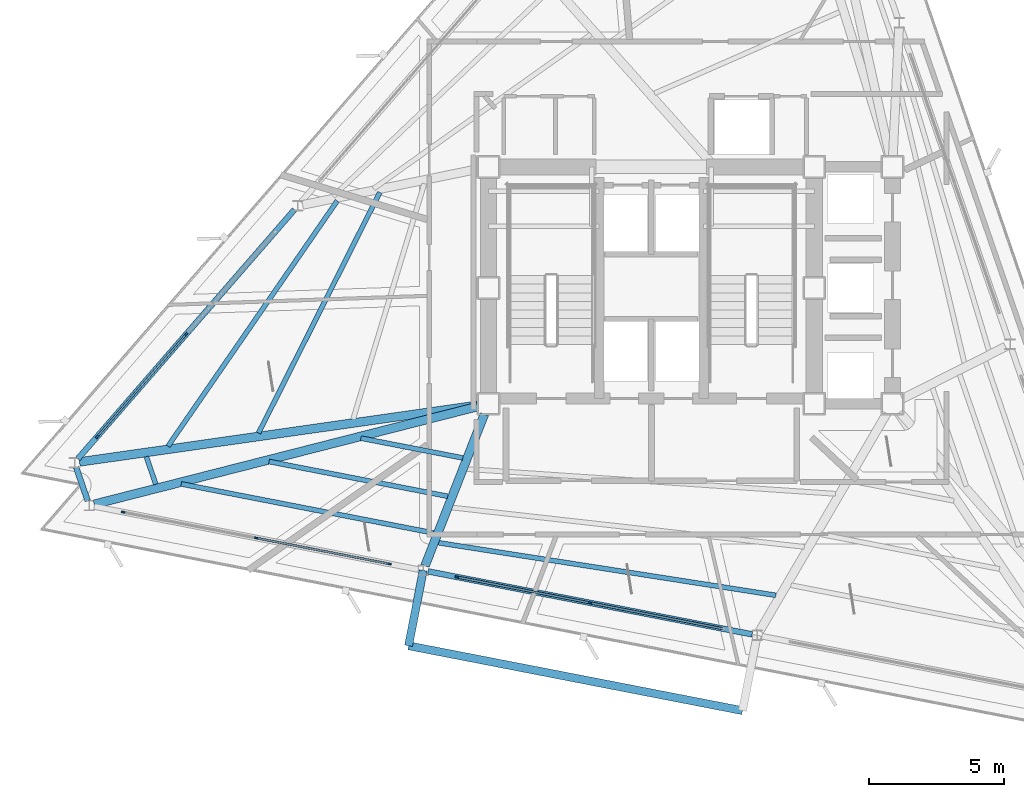
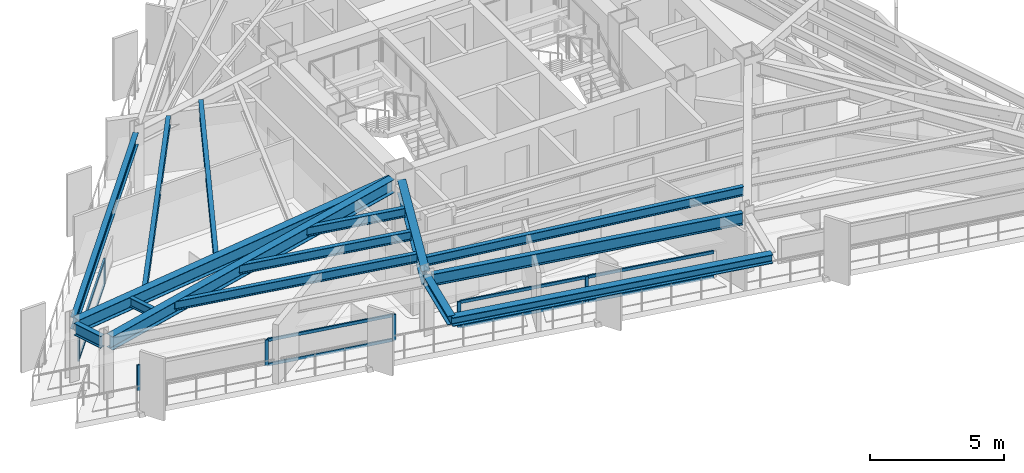
# One storey, part 2 of 14: 15 beams, 15 members, 3 elements without a shape of their own.
"""IFC4 building model written with IfcOpenShell, lengths in metres."""

from ifc_helpers import new_model, si_unit, direction, frame, origin, origin_2d, place, context, subcontext, project, spatial, rectangle, i_section, extrude, material, layer, layer_set, material_profile, profile_set, type_object, element, aggregate, save


model = new_model("IFC4")

# Units and contexts
model_context = context("Model", 3, precision=1e-05, world=origin(), true_north=direction((0.0, 1.0)))
body_context = subcontext(model_context, "Body", "Model", "MODEL_VIEW")
ifc_project = project(units=[si_unit("LENGTHUNIT", "METRE"), si_unit("AREAUNIT", "SQUARE_METRE"), si_unit("VOLUMEUNIT", "CUBIC_METRE"), si_unit("PLANEANGLEUNIT", "RADIAN"), si_unit("MASSUNIT", "GRAM", prefix="KILO")], contexts=[model_context])

# Site, building, storey
site_placement = place(None, origin())
site = spatial("IfcSite", under=ifc_project, at=site_placement, CompositionType="ELEMENT")
building_placement = place(site_placement, origin())
building = spatial("IfcBuilding", under=site, at=building_placement, Name="Rocaltana Carrier Exchange", CompositionType="ELEMENT")
storey_placement = place(building_placement, frame((0.0, 0.0, 168.47998046875)))
storey = spatial("IfcBuildingStorey", under=building, at=storey_placement, Name="L53", CompositionType="ELEMENT", Elevation=168.47998046875)

# Curtain wall, members
ifc_material_1 = material(Name="Aluminium 6063-T6", Category="aluminium")
ifc_layer = layer(ifc_material_1, 0.135009765625)
ifc_layer_set = layer_set([ifc_layer], Name="Aluminium 6063-T6")
curtain_wall_type = type_object("IfcCurtainWallType", Name="Upper-Mid Acoustic Curtain Wall CW-04", PredefinedType="NOTDEFINED", material=ifc_layer_set)
curtain_wall_1_placement = place(storey_placement, origin())
curtain_wall_1 = element("IfcCurtainWall", 1, at=curtain_wall_1_placement, inside=storey, type_object=curtain_wall_type, Name="L53 CW-04 Run CW-L53-F2S3", PredefinedType="NOTDEFINED")
ifc_material_2 = material(Name="Aluminium 6063-T6", Category="aluminium")
ifc_material_profile_1 = material_profile(ifc_material_2, rectangle(XDim=0.06494140625, YDim=0.135009765625, at=origin_2d()), Name="AL-65X135")
ifc_profile_set_1 = profile_set([ifc_material_profile_1], Name="Aluminium 6063-T6")
member_type_1 = type_object("IfcMemberType", Name="CW-04 Mullion AL-65X135", PredefinedType="MULLION", material=ifc_profile_set_1)
member_1_placement = place(storey_placement, frame((-17.279541015625, -1.718505859375, 0.0), z_axis=(0.0, 0.0, 1.0), x_axis=(0.75471173919, -0.656056545375, 0.0)))
member_1 = element("IfcMember", 2, at=member_1_placement, type_object=member_type_1, Name="CW-04 mullion 2", PredefinedType="MULLION", context=body_context, shape_type="SweptSolid", body=[
    extrude(rectangle(XDim=0.06494140625, YDim=0.135009765625, at=origin_2d()), origin(), (0.0, 0.0, 1.0), 1.177978515625),
])
member_2_placement = place(storey_placement, frame((-20.582275390625, -5.517822265625, 0.0), z_axis=(0.0, 0.0, 1.0), x_axis=(0.75471173919, -0.656056545375, 0.0)))
member_2 = element("IfcMember", 3, at=member_2_placement, type_object=member_type_1, Name="CW-04 mullion 3", PredefinedType="MULLION", context=body_context, shape_type="SweptSolid", body=[
    extrude(rectangle(XDim=0.06494140625, YDim=0.135009765625, at=origin_2d()), origin(), (0.0, 0.0, 1.0), 1.177978515625),
])

curtain_wall_2_placement = place(storey_placement, origin())
curtain_wall_2 = element("IfcCurtainWall", 4, at=curtain_wall_2_placement, inside=storey, type_object=curtain_wall_type, Name="L53 CW-04 Run CW-L53-F3S1", PredefinedType="NOTDEFINED")
member_3_placement = place(storey_placement, frame((-19.6162109375, -8.323486328125, 0.0), z_axis=(0.0, 0.0, 1.0), x_axis=(0.190803361378, 0.981628278569, 0.0)))
member_3 = element("IfcMember", 5, at=member_3_placement, type_object=member_type_1, Name="CW-04 mullion 1", PredefinedType="MULLION", context=body_context, shape_type="SweptSolid", body=[
    extrude(rectangle(XDim=0.06494140625, YDim=0.135009765625, at=origin_2d()), origin(), (0.0, 0.0, 1.0), 1.177978515625),
])
member_4_placement = place(storey_placement, frame((-14.674560546875, -9.2841796875, 0.0), z_axis=(0.0, 0.0, 1.0), x_axis=(0.190803361378, 0.981628278569, 0.0)))
member_4 = element("IfcMember", 6, at=member_4_placement, type_object=member_type_1, Name="CW-04 mullion 2", PredefinedType="MULLION", context=body_context, shape_type="SweptSolid", body=[
    extrude(rectangle(XDim=0.06494140625, YDim=0.135009765625, at=origin_2d()), origin(), (0.0, 0.0, 1.0), 1.177978515625),
])
member_5_placement = place(storey_placement, frame((-9.732666015625, -10.24462890625, 0.0), z_axis=(0.0, 0.0, 1.0), x_axis=(0.190803361378, 0.981628278569, 0.0)))
member_5 = element("IfcMember", 7, at=member_5_placement, type_object=member_type_1, Name="CW-04 mullion 3", PredefinedType="MULLION", context=body_context, shape_type="SweptSolid", body=[
    extrude(rectangle(XDim=0.06494140625, YDim=0.135009765625, at=origin_2d()), origin(), (0.0, 0.0, 1.0), 1.177978515625),
])

curtain_wall_3_placement = place(storey_placement, origin())
curtain_wall_3 = element("IfcCurtainWall", 8, at=curtain_wall_3_placement, inside=storey, type_object=curtain_wall_type, Name="L53 CW-04 Run CW-L53-F3S2", PredefinedType="NOTDEFINED")
member_6_placement = place(storey_placement, frame((-7.21484375, -10.734130859375, 0.0), z_axis=(0.0, 0.0, 1.0), x_axis=(0.190814718784, 0.981626070913, 0.0)))
member_6 = element("IfcMember", 9, at=member_6_placement, type_object=member_type_1, Name="CW-04 mullion 1", PredefinedType="MULLION", context=body_context, shape_type="SweptSolid", body=[
    extrude(rectangle(XDim=0.06494140625, YDim=0.135009765625, at=origin_2d()), origin(), (0.0, 0.0, 1.0), 1.177978515625),
])
member_7_placement = place(storey_placement, frame((-2.273193359375, -11.694580078125, 0.0), z_axis=(0.0, 0.0, 1.0), x_axis=(0.190814718784, 0.981626070913, 0.0)))
member_7 = element("IfcMember", 10, at=member_7_placement, type_object=member_type_1, Name="CW-04 mullion 2", PredefinedType="MULLION", context=body_context, shape_type="SweptSolid", body=[
    extrude(rectangle(XDim=0.06494140625, YDim=0.135009765625, at=origin_2d()), origin(), (0.0, 0.0, 1.0), 1.177978515625),
])

# Member
ifc_material_3 = material(Name="Aluminium 6063-T6", Category="aluminium")
ifc_material_profile_2 = material_profile(ifc_material_3, rectangle(XDim=0.06494140625, YDim=0.135009765625, at=origin_2d()), Name="AL-65X135")
ifc_profile_set_2 = profile_set([ifc_material_profile_2], Name="Aluminium 6063-T6")
member_type_2 = type_object("IfcMemberType", Name="CW-04 Transom AL-65X135", PredefinedType="USERDEFINED", material=ifc_profile_set_2)
member_8_placement = place(storey_placement, frame((-17.30078125, -1.742919921875, 0.032470703125), z_axis=(-0.656055850486, -0.754712343243, 0.0), x_axis=(0.754712343243, -0.656055850486, 0.0)))
member_8 = element("IfcMember", 11, at=member_8_placement, type_object=member_type_2, Name="CW-04 transom 2.1", ObjectType="TRANSOM", PredefinedType="USERDEFINED", context=body_context, shape_type="SweptSolid", body=[
    extrude(rectangle(XDim=0.06494140625, YDim=0.135009765625, at=origin_2d()), origin(), (0.0, 0.0, 1.0), 4.968994140625),
])

member_9_placement = place(storey_placement, frame((-17.30078125, -1.742919921875, 1.1455078125), z_axis=(-0.656055850486, -0.754712343243, 0.0), x_axis=(0.754712343243, -0.656055850486, 0.0)))
member_9 = element("IfcMember", 12, at=member_9_placement, type_object=member_type_2, Name="CW-04 transom 2.2", ObjectType="TRANSOM", PredefinedType="USERDEFINED", context=body_context, shape_type="SweptSolid", body=[
    extrude(rectangle(XDim=0.06494140625, YDim=0.135009765625, at=origin_2d()), origin(), (0.0, 0.0, 1.0), 4.968994140625),
])

aggregate(curtain_wall_1, [member_1, member_2, member_8, member_9])

member_10_placement = place(storey_placement, frame((-14.642578125, -9.290283203125, 0.032470703125), z_axis=(0.981624593621, -0.1908223184, 0.0), x_axis=(0.1908223184, 0.981624593621, 0.0)))
member_10 = element("IfcMember", 13, at=member_10_placement, type_object=member_type_2, Name="CW-04 transom 2.1", ObjectType="TRANSOM", PredefinedType="USERDEFINED", context=body_context, shape_type="SweptSolid", body=[
    extrude(rectangle(XDim=0.06494140625, YDim=0.135009765625, at=origin_2d()), origin(), (0.0, 0.0, 1.0), 4.96923828125),
])

member_11_placement = place(storey_placement, frame((-14.642578125, -9.290283203125, 1.1455078125), z_axis=(0.981624593621, -0.1908223184, 0.0), x_axis=(0.1908223184, 0.981624593621, 0.0)))
member_11 = element("IfcMember", 14, at=member_11_placement, type_object=member_type_2, Name="CW-04 transom 2.2", ObjectType="TRANSOM", PredefinedType="USERDEFINED", context=body_context, shape_type="SweptSolid", body=[
    extrude(rectangle(XDim=0.06494140625, YDim=0.135009765625, at=origin_2d()), origin(), (0.0, 0.0, 1.0), 4.96923828125),
])

aggregate(curtain_wall_2, [member_3, member_4, member_5, member_10, member_11])

member_12_placement = place(storey_placement, frame((-7.18310546875, -10.740234375, 0.032470703125), z_axis=(0.981624593621, -0.1908223184, 0.0), x_axis=(0.1908223184, 0.981624593621, 0.0)))
member_12 = element("IfcMember", 15, at=member_12_placement, type_object=member_type_2, Name="CW-04 transom 1.1", ObjectType="TRANSOM", PredefinedType="USERDEFINED", context=body_context, shape_type="SweptSolid", body=[
    extrude(rectangle(XDim=0.06494140625, YDim=0.135009765625, at=origin_2d()), origin(), (0.0, 0.0, 1.0), 4.96923828125),
])

member_13_placement = place(storey_placement, frame((-7.18310546875, -10.740234375, 1.1455078125), z_axis=(0.981624593621, -0.1908223184, 0.0), x_axis=(0.1908223184, 0.981624593621, 0.0)))
member_13 = element("IfcMember", 16, at=member_13_placement, type_object=member_type_2, Name="CW-04 transom 1.2", ObjectType="TRANSOM", PredefinedType="USERDEFINED", context=body_context, shape_type="SweptSolid", body=[
    extrude(rectangle(XDim=0.06494140625, YDim=0.135009765625, at=origin_2d()), origin(), (0.0, 0.0, 1.0), 4.96923828125),
])

member_14_placement = place(storey_placement, frame((-2.2412109375, -11.700927734375, 0.032470703125), z_axis=(0.9816228045, -0.190831521732, 0.0), x_axis=(0.190831521732, 0.9816228045, 0.0)))
member_14 = element("IfcMember", 17, at=member_14_placement, type_object=member_type_2, Name="CW-04 transom 2.1", ObjectType="TRANSOM", PredefinedType="USERDEFINED", context=body_context, shape_type="SweptSolid", body=[
    extrude(rectangle(XDim=0.06494140625, YDim=0.135009765625, at=origin_2d()), origin(), (0.0, 0.0, 1.0), 4.968994140625),
])

member_15_placement = place(storey_placement, frame((-2.2412109375, -11.700927734375, 1.1455078125), z_axis=(0.9816228045, -0.190831521732, 0.0), x_axis=(0.190831521732, 0.9816228045, 0.0)))
member_15 = element("IfcMember", 18, at=member_15_placement, type_object=member_type_2, Name="CW-04 transom 2.2", ObjectType="TRANSOM", PredefinedType="USERDEFINED", context=body_context, shape_type="SweptSolid", body=[
    extrude(rectangle(XDim=0.06494140625, YDim=0.135009765625, at=origin_2d()), origin(), (0.0, 0.0, 1.0), 4.968994140625),
])

aggregate(curtain_wall_3, [member_6, member_7, member_12, member_13, member_14, member_15])

# Beams
ifc_material_4 = material(Name="Steel S460", Category="steel")
ifc_material_profile_3 = material_profile(ifc_material_4, i_section(OverallWidth=0.300048828125, OverallDepth=0.39990234375, WebThickness=0.013427734375, FlangeThickness=0.02392578125, FilletRadius=0.027099609375, at=origin_2d()), Name="HEB400")
ifc_profile_set_3 = profile_set([ifc_material_profile_3], Name="Steel S460")
beam_type_1 = type_object("IfcBeamType", Name="Crown Ring Beam HEB400", PredefinedType="BEAM", material=ifc_profile_set_3)
beam_1_placement = place(storey_placement, frame((-8.473876953125, -10.489501953125, 2.5), z_axis=(-0.190775649797, -0.981633664584, 0.0), x_axis=(0.981633664584, -0.190775649797, 0.0)))
element("IfcBeam", 19, at=beam_1_placement, inside=storey, type_object=beam_type_1, Name="L54 Sky Garden Terrace Bracket 1", PredefinedType="BEAM", context=body_context, shape_type="SweptSolid", body=[
    extrude(i_section(OverallWidth=0.300048828125, OverallDepth=0.39990234375, WebThickness=0.013427734375, FlangeThickness=0.02392578125, FilletRadius=0.027099609375, at=origin_2d()), origin(), (0.0, 0.0, 1.0), 2.849853515625),
])
beam_2_placement = place(storey_placement, frame((-9.017578125, -13.287109375, 2.5), z_axis=(0.981629166273, -0.190798794342, 0.0), x_axis=(0.190798794342, 0.981629166273, 0.0)))
element("IfcBeam", 20, at=beam_2_placement, inside=storey, type_object=beam_type_1, Name="L54 Sky Garden Terrace Edge Header", PredefinedType="BEAM", context=body_context, shape_type="SweptSolid", body=[
    extrude(i_section(OverallWidth=0.300048828125, OverallDepth=0.39990234375, WebThickness=0.013427734375, FlangeThickness=0.02392578125, FilletRadius=0.027099609375, at=origin_2d()), origin(), (0.0, 0.0, 1.0), 12.63330078125),
])
ifc_material_5 = material(Name="Steel S355", Category="steel")
ifc_material_profile_4 = material_profile(ifc_material_5, i_section(OverallWidth=0.179931640625, OverallDepth=0.4130859375, WebThickness=0.009765625, FlangeThickness=0.01611328125, FilletRadius=0.012939453125, at=origin_2d()), Name="W16X50")
ifc_profile_set_4 = profile_set([ifc_material_profile_4], Name="Steel S355")
beam_type_2 = type_object("IfcBeamType", Name="Floor Joist W16X50", PredefinedType="JOIST", material=ifc_profile_set_4)
beam_3_placement = place(storey_placement, frame((-10.087890625, 3.548095703125, 2.511474609375), z_axis=(-0.449993841854, -0.893031658058, 0.0), x_axis=(0.893031658058, -0.449993841854, 0.0)))
element("IfcBeam", 21, at=beam_3_placement, inside=storey, type_object=beam_type_2, Name="FJ-L53-07-2", PredefinedType="JOIST", context=body_context, shape_type="SweptSolid", body=[
    extrude(i_section(OverallWidth=0.179931640625, OverallDepth=0.4130859375, WebThickness=0.009765625, FlangeThickness=0.01611328125, FilletRadius=0.012939453125, at=origin_2d()), origin(), (0.0, 0.0, 1.0), 10.0029296875),
])
beam_4_placement = place(storey_placement, frame((-11.665283203125, 3.239501953125, 2.511474609375), z_axis=(-0.567777260515, -0.823182229183, 0.0), x_axis=(0.823182229183, -0.567777260515, 0.0)))
element("IfcBeam", 22, at=beam_4_placement, inside=storey, type_object=beam_type_2, Name="FJ-L53-07-3", PredefinedType="JOIST", context=body_context, shape_type="SweptSolid", body=[
    extrude(i_section(OverallWidth=0.179931640625, OverallDepth=0.4130859375, WebThickness=0.009765625, FlangeThickness=0.01611328125, FilletRadius=0.012939453125, at=origin_2d()), origin(), (0.0, 0.0, 1.0), 11.073974609375),
])
beam_5_placement = place(storey_placement, frame((-18.75927734375, -6.26171875, 2.511474609375), z_axis=(0.32558209601, -0.945513775023, 0.0), x_axis=(0.945513775023, 0.32558209601, 0.0)))
element("IfcBeam", 23, at=beam_5_placement, inside=storey, type_object=beam_type_2, Name="FJ-L53-08-3", PredefinedType="JOIST", context=body_context, shape_type="SweptSolid", body=[
    extrude(i_section(OverallWidth=0.179931640625, OverallDepth=0.4130859375, WebThickness=0.009765625, FlangeThickness=0.01611328125, FilletRadius=0.012939453125, at=origin_2d()), origin(), (0.0, 0.0, 1.0), 1.08642578125),
])
beam_6_placement = place(storey_placement, frame((-10.7890625, -5.576904296875, 2.511474609375), z_axis=(0.981632516302, -0.190781558172, 0.0), x_axis=(0.190781558172, 0.981632516302, 0.0)))
element("IfcBeam", 24, at=beam_6_placement, inside=storey, type_object=beam_type_2, Name="FJ-L53-09-1", PredefinedType="JOIST", context=body_context, shape_type="SweptSolid", body=[
    extrude(i_section(OverallWidth=0.179931640625, OverallDepth=0.4130859375, WebThickness=0.009765625, FlangeThickness=0.01611328125, FilletRadius=0.012939453125, at=origin_2d()), origin(), (0.0, 0.0, 1.0), 3.85693359375),
])
beam_7_placement = place(storey_placement, frame((-14.198974609375, -6.44580078125, 2.511474609375), z_axis=(0.981623092211, -0.190830041758, 0.0), x_axis=(0.190830041758, 0.981623092211, 0.0)))
element("IfcBeam", 25, at=beam_7_placement, inside=storey, type_object=beam_type_2, Name="FJ-L53-09-2", PredefinedType="JOIST", context=body_context, shape_type="SweptSolid", body=[
    extrude(i_section(OverallWidth=0.179931640625, OverallDepth=0.4130859375, WebThickness=0.009765625, FlangeThickness=0.01611328125, FilletRadius=0.012939453125, at=origin_2d()), origin(), (0.0, 0.0, 1.0), 6.7626953125),
])
beam_8_placement = place(storey_placement, frame((-17.46044921875, -7.27734375, 2.511474609375), z_axis=(0.981630034489, -0.190794327456, 0.0), x_axis=(0.190794327456, 0.981630034489, 0.0)))
element("IfcBeam", 26, at=beam_8_placement, inside=storey, type_object=beam_type_2, Name="FJ-L53-09-3", PredefinedType="JOIST", context=body_context, shape_type="SweptSolid", body=[
    extrude(i_section(OverallWidth=0.179931640625, OverallDepth=0.4130859375, WebThickness=0.009765625, FlangeThickness=0.01611328125, FilletRadius=0.012939453125, at=origin_2d()), origin(), (0.0, 0.0, 1.0), 9.5419921875),
])
beam_9_placement = place(storey_placement, frame((-7.90771484375, -9.461181640625, 2.511474609375), z_axis=(0.988080457821, -0.153938328148, 0.0), x_axis=(0.153938328148, 0.988080457821, 0.0)))
element("IfcBeam", 27, at=beam_9_placement, inside=storey, type_object=beam_type_2, Name="FJ-L53-10-3", PredefinedType="JOIST", context=body_context, shape_type="SweptSolid", body=[
    extrude(i_section(OverallWidth=0.179931640625, OverallDepth=0.4130859375, WebThickness=0.009765625, FlangeThickness=0.01611328125, FilletRadius=0.012939453125, at=origin_2d()), origin(), (0.0, 0.0, 1.0), 12.68603515625),
])
ifc_material_6 = material(Name="Steel S355", Category="steel")
ifc_material_profile_5 = material_profile(ifc_material_6, i_section(OverallWidth=0.323974609375, OverallDepth=0.611083984375, WebThickness=0.0126953125, FlangeThickness=0.01904296875, FilletRadius=0.01611328125, at=origin_2d()), Name="W24X104")
ifc_profile_set_5 = profile_set([ifc_material_profile_5], Name="Steel S355")
beam_type_3 = type_object("IfcBeamType", Name="Radial Girder W24X104", PredefinedType="BEAM", material=ifc_profile_set_5)
beam_10_placement = place(storey_placement, frame((-6.462890625, -4.358642578125, 2.41259765625), z_axis=(-0.990042513649, -0.140768679638, 0.0), x_axis=(0.140768679638, -0.990042513649, 0.0)))
element("IfcBeam", 28, at=beam_10_placement, inside=storey, type_object=beam_type_3, Name="RG-L53-08", PredefinedType="BEAM", context=body_context, shape_type="SweptSolid", body=[
    extrude(i_section(OverallWidth=0.323974609375, OverallDepth=0.611083984375, WebThickness=0.0126953125, FlangeThickness=0.01904296875, FilletRadius=0.01611328125, at=origin_2d()), origin(), (0.0, 0.0, 1.0), 14.92578125),
])
beam_11_placement = place(storey_placement, frame((-6.4541015625, -4.403076171875, 2.41259765625), z_axis=(-0.969014301438, -0.247004622644, 0.0), x_axis=(0.247004622644, -0.969014301438, 0.0)))
element("IfcBeam", 29, at=beam_11_placement, inside=storey, type_object=beam_type_3, Name="RG-L53-09", PredefinedType="BEAM", context=body_context, shape_type="SweptSolid", body=[
    extrude(i_section(OverallWidth=0.323974609375, OverallDepth=0.611083984375, WebThickness=0.0126953125, FlangeThickness=0.01904296875, FilletRadius=0.01611328125, at=origin_2d()), origin(), (0.0, 0.0, 1.0), 14.696533203125),
])
beam_12_placement = place(storey_placement, frame((-6.2021484375, -4.688232421875, 2.41259765625), z_axis=(-0.364639954238, -0.93114859382, 0.0), x_axis=(0.93114859382, -0.364639954238, 0.0)))
element("IfcBeam", 30, at=beam_12_placement, inside=storey, type_object=beam_type_3, Name="RG-L53-10", PredefinedType="BEAM", context=body_context, shape_type="SweptSolid", body=[
    extrude(i_section(OverallWidth=0.323974609375, OverallDepth=0.611083984375, WebThickness=0.0126953125, FlangeThickness=0.01904296875, FilletRadius=0.01611328125, at=origin_2d()), origin(), (0.0, 0.0, 1.0), 6.044677734375),
])
ifc_material_7 = material(Name="Steel S355", Category="steel")
ifc_material_profile_6 = material_profile(ifc_material_7, i_section(OverallWidth=0.2119140625, OverallDepth=0.5439453125, WebThickness=0.01318359375, FlangeThickness=0.021240234375, FilletRadius=0.014892578125, at=origin_2d()), Name="W21X83")
ifc_profile_set_6 = profile_set([ifc_material_profile_6], Name="Steel S355")
beam_type_4 = type_object("IfcBeamType", Name="Spandrel Edge Beam W21X83", PredefinedType="SPANDREL", material=ifc_profile_set_6)
beam_13_placement = place(storey_placement, frame((-13.257080078125, 2.90869140625, 2.446044921875), z_axis=(-0.65606829307, -0.754701526982, 0.0), x_axis=(0.754701526982, -0.65606829307, 0.0)))
element("IfcBeam", 31, at=beam_13_placement, inside=storey, type_object=beam_type_4, Name="SP-L53-07", PredefinedType="SPANDREL", context=body_context, shape_type="SweptSolid", body=[
    extrude(i_section(OverallWidth=0.2119140625, OverallDepth=0.5439453125, WebThickness=0.01318359375, FlangeThickness=0.021240234375, FilletRadius=0.014892578125, at=origin_2d()), origin(), (0.0, 0.0, 1.0), 12.26220703125),
])
beam_14_placement = place(storey_placement, frame((-21.36328125, -6.6611328125, 2.446044921875), z_axis=(0.325521108858, -0.945534773389, 0.0), x_axis=(0.945534773389, 0.325521108858, 0.0)))
element("IfcBeam", 32, at=beam_14_placement, inside=storey, type_object=beam_type_4, Name="SP-L53-08", PredefinedType="SPANDREL", context=body_context, shape_type="SweptSolid", body=[
    extrude(i_section(OverallWidth=0.2119140625, OverallDepth=0.5439453125, WebThickness=0.01318359375, FlangeThickness=0.021240234375, FilletRadius=0.014892578125, at=origin_2d()), origin(), (0.0, 0.0, 1.0), 1.31396484375),
])
beam_15_placement = place(storey_placement, frame((-8.291748046875, -10.52490234375, 2.446044921875), z_axis=(0.98162989356, -0.190795052531, 0.0), x_axis=(0.190795052531, 0.98162989356, 0.0)))
element("IfcBeam", 33, at=beam_15_placement, inside=storey, type_object=beam_type_4, Name="SP-L53-10", PredefinedType="SPANDREL", context=body_context, shape_type="SweptSolid", body=[
    extrude(i_section(OverallWidth=0.2119140625, OverallDepth=0.5439453125, WebThickness=0.01318359375, FlangeThickness=0.021240234375, FilletRadius=0.014892578125, at=origin_2d()), origin(), (0.0, 0.0, 1.0), 12.262451171875),
])

save(model, "model.ifc")
